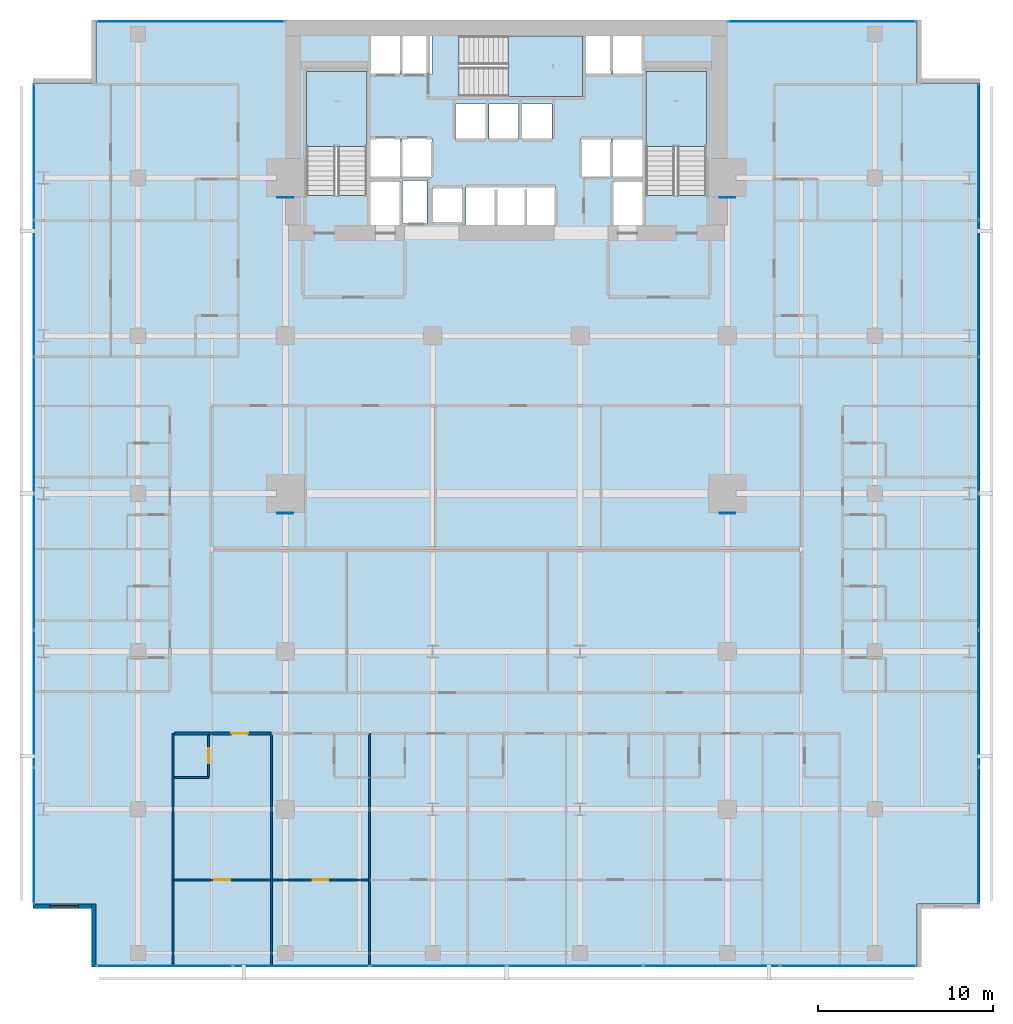
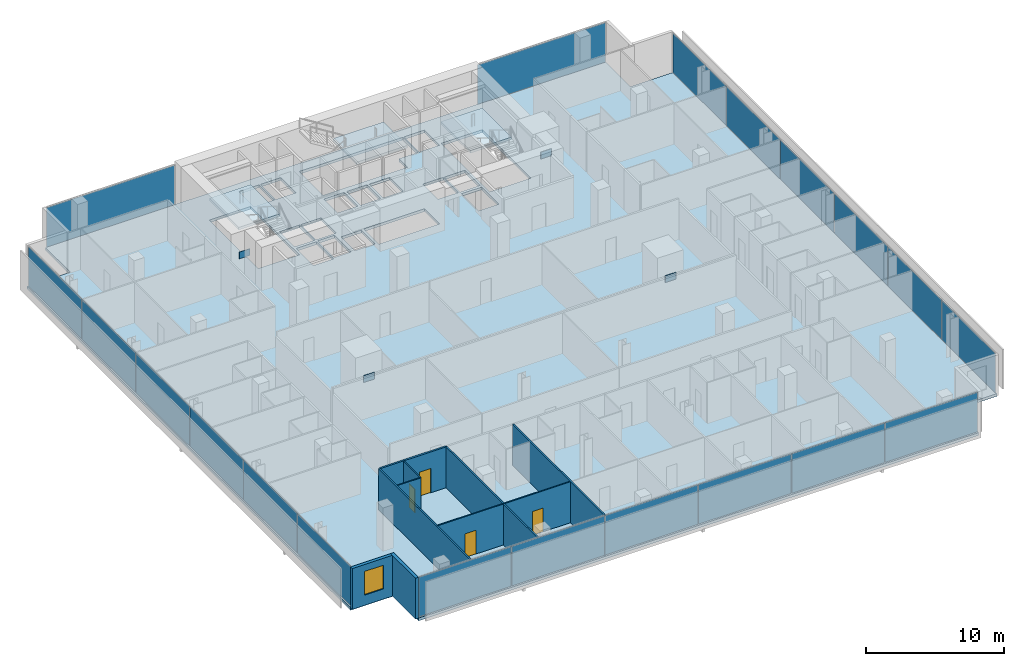
# One storey, part 32 of 40: 24 plates, 11 walls, 4 doors, 4 slabs, 1 window, 5 openings, 8 elements without a shape of their own.
"""IFC4 building model written with IfcOpenShell, lengths in metres."""

from ifc_helpers import new_model, si_unit, direction, frame, frame_2d, origin, origin_2d, place, context, subcontext, project, spatial, polyline, rectangle, outline, extrude, material, layer, layer_set, type_object, element, fill, aggregate, save


model = new_model("IFC4")

# Units and contexts
model_context = context("Model", 3, precision=1e-05, world=origin(), true_north=direction((0.0, 1.0)))
body_context = subcontext(model_context, "Body", "Model", "MODEL_VIEW")
ifc_project = project(units=[si_unit("LENGTHUNIT", "METRE"), si_unit("AREAUNIT", "SQUARE_METRE"), si_unit("VOLUMEUNIT", "CUBIC_METRE"), si_unit("PLANEANGLEUNIT", "RADIAN"), si_unit("MASSUNIT", "GRAM", prefix="KILO")], contexts=[model_context])

# Site, building, storey
site_placement = place(None, origin())
site = spatial("IfcSite", under=ifc_project, at=site_placement, CompositionType="ELEMENT")
building_placement = place(site_placement, origin())
building = spatial("IfcBuilding", under=site, at=building_placement, Name="Maruvema Waterfront Hotel and Observation Tower", CompositionType="ELEMENT")
storey_placement = place(building_placement, frame((0.0, 0.0, 57.75)))
storey = spatial("IfcBuildingStorey", under=building, at=storey_placement, Name="L13", CompositionType="ELEMENT", Elevation=57.75)

# Slab
ifc_material_1 = material(Name="Concrete C50/60", Category="concrete")
ifc_layer_1 = layer(ifc_material_1, 0.239990234375, Name="Reinforced Concrete Floor Slab 240 mm")
ifc_layer_set_1 = layer_set([ifc_layer_1], Name="Concrete C50/60")
slab_type_1 = type_object("IfcSlabType", Name="Reinforced Concrete Floor Slab 240 mm", PredefinedType="FLOOR", material=ifc_layer_set_1)
slab_1_placement = place(storey_placement, frame((0.0, 0.0, -0.239990234375)))
element("IfcSlab", 1, at=slab_1_placement, inside=storey, type_object=slab_type_1, Name="L13 Structural Floor Slab", PredefinedType="FLOOR", context=body_context, shape_type="SweptSolid", body=[
    extrude(outline(polyline([(14.39990234375, 0.0), (61.199951171875, 0.0), (61.199951171875, 3.60009765625), (64.800048828125, 3.60009765625), (64.800048828125, 50.39990234375), (61.199951171875, 50.39990234375), (61.199951171875, 54.0), (14.39990234375, 54.0), (14.39990234375, 50.39990234375), (10.800048828125, 50.39990234375), (10.800048828125, 3.60009765625), (14.39990234375, 3.60009765625), (14.39990234375, 0.0)]), holes=[polyline([(26.39990234375, 44.00048828125), (26.39990234375, 51.050048828125), (29.85009765625, 51.050048828125), (29.85009765625, 44.00048828125), (26.39990234375, 44.00048828125)]), polyline([(30.050048828125, 44.800048828125), (31.75, 44.800048828125), (31.75, 42.320068359375), (30.050048828125, 42.320068359375), (30.050048828125, 44.800048828125)]), polyline([(31.75, 47.25), (31.75, 45.050048828125), (30.050048828125, 45.050048828125), (30.050048828125, 47.25), (31.75, 47.25)]), polyline([(31.75, 53.10009765625), (31.75, 50.89990234375), (30.050048828125, 50.89990234375), (30.050048828125, 53.10009765625), (31.75, 53.10009765625)]), polyline([(33.280029296875, 44.860107421875), (33.280029296875, 42.43994140625), (31.8798828125, 42.43994140625), (31.8798828125, 44.860107421875), (33.280029296875, 44.860107421875)]), polyline([(31.85009765625, 47.25), (33.550048828125, 47.25), (33.550048828125, 45.050048828125), (31.85009765625, 45.050048828125), (31.85009765625, 47.25)]), polyline([(31.85009765625, 53.10009765625), (33.550048828125, 53.10009765625), (33.550048828125, 50.89990234375), (31.85009765625, 50.89990234375), (31.85009765625, 53.10009765625)]), polyline([(33.60009765625, 44.449951171875), (35.300048828125, 44.449951171875), (35.300048828125, 42.449951171875), (33.60009765625, 42.449951171875), (33.60009765625, 44.449951171875)]), polyline([(34.89990234375, 49.199951171875), (36.60009765625, 49.199951171875), (36.60009765625, 47.199951171875), (34.89990234375, 47.199951171875), (34.89990234375, 49.199951171875)]), polyline([(38.5, 49.199951171875), (38.5, 47.199951171875), (36.800048828125, 47.199951171875), (36.800048828125, 49.199951171875), (38.5, 49.199951171875)]), polyline([(35.5, 44.5), (40.60009765625, 44.5), (40.60009765625, 42.300048828125), (35.5, 42.300048828125), (35.5, 44.5)]), polyline([(43.75, 50.89990234375), (42.14990234375, 50.89990234375), (42.14990234375, 49.64990234375), (35.1005859375, 49.64990234375), (35.1005859375, 53.10009765625), (43.75, 53.10009765625), (43.75, 50.89990234375)]), polyline([(40.39990234375, 49.199951171875), (40.39990234375, 47.199951171875), (38.699951171875, 47.199951171875), (38.699951171875, 49.199951171875), (40.39990234375, 49.199951171875)]), polyline([(43.75, 47.25), (43.75, 45.050048828125), (42.050048828125, 45.050048828125), (42.050048828125, 47.25), (43.75, 47.25)]), polyline([(45.550048828125, 44.800048828125), (45.550048828125, 42.320068359375), (43.85009765625, 42.320068359375), (43.85009765625, 44.800048828125), (45.550048828125, 44.800048828125)]), polyline([(43.85009765625, 47.25), (45.550048828125, 47.25), (45.550048828125, 45.050048828125), (43.85009765625, 45.050048828125), (43.85009765625, 47.25)]), polyline([(45.550048828125, 53.10009765625), (45.550048828125, 50.89990234375), (43.85009765625, 50.89990234375), (43.85009765625, 53.10009765625), (45.550048828125, 53.10009765625)]), polyline([(45.75, 51.050048828125), (49.199951171875, 51.050048828125), (49.199951171875, 44.00048828125), (45.75, 44.00048828125), (45.75, 51.050048828125)])]), origin(), (0.0, 0.0, 1.0), 0.239990234375),
])

# Curtain wall, plates
ifc_material_2 = material(Name="Anodised bronze aluminium and solar-control low-E IGU", Category="aluminium")
ifc_layer_2 = layer(ifc_material_2, 0.159912109375, Name="Zone 1 Bronze Inner Thermal Curtain Wall System CW-02")
ifc_layer_set_2 = layer_set([ifc_layer_2], Name="Anodised bronze aluminium and solar-control low-E IGU")
curtain_wall_type = type_object("IfcCurtainWallType", Name="Zone 1 Bronze Inner Thermal Curtain Wall System CW-02", PredefinedType="USERDEFINED", material=ifc_layer_set_2)
curtain_wall_1_placement = place(storey_placement, origin())
curtain_wall_1 = element("IfcCurtainWall", 2, at=curtain_wall_1_placement, inside=storey, type_object=curtain_wall_type, Name="L13 Curtain Wall CW-L13-S", ObjectType="UNITISED CURTAIN WALL", PredefinedType="USERDEFINED")
ifc_material_3 = material(Name="Laminated low-E solar-control double glazing", Category="glass")
ifc_layer_3 = layer(ifc_material_3, 0.035888671875, Name="Solar Control Double-Glazed Curtain Panel 36 mm")
ifc_layer_set_3 = layer_set([ifc_layer_3], Name="Laminated low-E solar-control double glazing")
plate_type_1 = type_object("IfcPlateType", Name="Solar Control Double-Glazed Curtain Panel 36 mm", PredefinedType="CURTAIN_PANEL", material=ifc_layer_set_3)
plate_1_placement = place(storey_placement, frame((18.31494140625, 0.080078125, 0.06005859375), z_axis=(0.0, 0.0, 1.0), x_axis=(1.0, 0.0, 0.0)))
plate_1 = element("IfcPlate", 3, at=plate_1_placement, type_object=plate_type_1, Name="CW-02 panel 1.1", PredefinedType="CURTAIN_PANEL", context=body_context, shape_type="SweptSolid", body=[
    extrude(rectangle(XDim=7.7099609375, YDim=0.028076171875, at=origin_2d()), origin(), (0.0, 0.0, 1.0), 3.489990234375),
])
plate_2_placement = place(storey_placement, frame((26.10009765625, 0.080078125, 0.06005859375), z_axis=(0.0, 0.0, 1.0), x_axis=(1.0, 0.0, 0.0)))
plate_2 = element("IfcPlate", 4, at=plate_2_placement, type_object=plate_type_1, Name="CW-02 panel 2.1", PredefinedType="CURTAIN_PANEL", context=body_context, shape_type="SweptSolid", body=[
    extrude(rectangle(XDim=7.739990234375, YDim=0.028076171875, at=origin_2d()), origin(), (0.0, 0.0, 1.0), 3.489990234375),
])
plate_3_placement = place(storey_placement, frame((33.89990234375, 0.080078125, 0.06005859375), z_axis=(0.0, 0.0, 1.0), x_axis=(1.0, 0.0, 0.0)))
plate_3 = element("IfcPlate", 5, at=plate_3_placement, type_object=plate_type_1, Name="CW-02 panel 3.1", PredefinedType="CURTAIN_PANEL", context=body_context, shape_type="SweptSolid", body=[
    extrude(rectangle(XDim=7.739990234375, YDim=0.028076171875, at=origin_2d()), origin(), (0.0, 0.0, 1.0), 3.489990234375),
])
plate_4_placement = place(storey_placement, frame((41.699951171875, 0.080078125, 0.06005859375), z_axis=(0.0, 0.0, 1.0), x_axis=(1.0, 0.0, 0.0)))
plate_4 = element("IfcPlate", 6, at=plate_4_placement, type_object=plate_type_1, Name="CW-02 panel 4.1", PredefinedType="CURTAIN_PANEL", context=body_context, shape_type="SweptSolid", body=[
    extrude(rectangle(XDim=7.739990234375, YDim=0.028076171875, at=origin_2d()), origin(), (0.0, 0.0, 1.0), 3.489990234375),
])
plate_5_placement = place(storey_placement, frame((49.5, 0.080078125, 0.06005859375), z_axis=(0.0, 0.0, 1.0), x_axis=(1.0, 0.0, 0.0)))
plate_5 = element("IfcPlate", 7, at=plate_5_placement, type_object=plate_type_1, Name="CW-02 panel 5.1", PredefinedType="CURTAIN_PANEL", context=body_context, shape_type="SweptSolid", body=[
    extrude(rectangle(XDim=7.739990234375, YDim=0.028076171875, at=origin_2d()), origin(), (0.0, 0.0, 1.0), 3.489990234375),
])
plate_6_placement = place(storey_placement, frame((57.284912109375, 0.080078125, 0.06005859375), z_axis=(0.0, 0.0, 1.0), x_axis=(1.0, 0.0, 0.0)))
plate_6 = element("IfcPlate", 8, at=plate_6_placement, type_object=plate_type_1, Name="CW-02 panel 6.1", PredefinedType="CURTAIN_PANEL", context=body_context, shape_type="SweptSolid", body=[
    extrude(rectangle(XDim=7.7099609375, YDim=0.028076171875, at=origin_2d()), origin(), (0.0, 0.0, 1.0), 3.489990234375),
])
aggregate(curtain_wall_1, [plate_1, plate_2, plate_3, plate_4, plate_5, plate_6])

curtain_wall_2_placement = place(storey_placement, origin())
curtain_wall_2 = element("IfcCurtainWall", 9, at=curtain_wall_2_placement, inside=storey, type_object=curtain_wall_type, Name="L13 Curtain Wall CW-L13-E", ObjectType="UNITISED CURTAIN WALL", PredefinedType="USERDEFINED")
plate_7_placement = place(storey_placement, frame((64.719970703125, 7.514892578125, 0.06005859375), z_axis=(0.0, 0.0, 1.0), x_axis=(0.0, 1.0, 0.0)))
plate_7 = element("IfcPlate", 10, at=plate_7_placement, type_object=plate_type_1, Name="CW-02 panel 1.1", PredefinedType="CURTAIN_PANEL", context=body_context, shape_type="SweptSolid", body=[
    extrude(rectangle(XDim=7.7099609375, YDim=0.028076171875, at=origin_2d()), origin(), (0.0, 0.0, 1.0), 3.489990234375),
])
plate_8_placement = place(storey_placement, frame((64.719970703125, 15.300048828125, 0.06005859375), z_axis=(0.0, 0.0, 1.0), x_axis=(0.0, 1.0, 0.0)))
plate_8 = element("IfcPlate", 11, at=plate_8_placement, type_object=plate_type_1, Name="CW-02 panel 2.1", PredefinedType="CURTAIN_PANEL", context=body_context, shape_type="SweptSolid", body=[
    extrude(rectangle(XDim=7.739990234375, YDim=0.028076171875, at=origin_2d()), origin(), (0.0, 0.0, 1.0), 3.489990234375),
])
plate_9_placement = place(storey_placement, frame((64.719970703125, 23.10009765625, 0.06005859375), z_axis=(0.0, 0.0, 1.0), x_axis=(0.0, 1.0, 0.0)))
plate_9 = element("IfcPlate", 12, at=plate_9_placement, type_object=plate_type_1, Name="CW-02 panel 3.1", PredefinedType="CURTAIN_PANEL", context=body_context, shape_type="SweptSolid", body=[
    extrude(rectangle(XDim=7.739990234375, YDim=0.028076171875, at=origin_2d()), origin(), (0.0, 0.0, 1.0), 3.489990234375),
])
plate_10_placement = place(storey_placement, frame((64.719970703125, 30.89990234375, 0.06005859375), z_axis=(0.0, 0.0, 1.0), x_axis=(0.0, 1.0, 0.0)))
plate_10 = element("IfcPlate", 13, at=plate_10_placement, type_object=plate_type_1, Name="CW-02 panel 4.1", PredefinedType="CURTAIN_PANEL", context=body_context, shape_type="SweptSolid", body=[
    extrude(rectangle(XDim=7.739990234375, YDim=0.028076171875, at=origin_2d()), origin(), (0.0, 0.0, 1.0), 3.489990234375),
])
plate_11_placement = place(storey_placement, frame((64.719970703125, 38.699951171875, 0.06005859375), z_axis=(0.0, 0.0, 1.0), x_axis=(0.0, 1.0, 0.0)))
plate_11 = element("IfcPlate", 14, at=plate_11_placement, type_object=plate_type_1, Name="CW-02 panel 5.1", PredefinedType="CURTAIN_PANEL", context=body_context, shape_type="SweptSolid", body=[
    extrude(rectangle(XDim=7.739990234375, YDim=0.028076171875, at=origin_2d()), origin(), (0.0, 0.0, 1.0), 3.489990234375),
])
plate_12_placement = place(storey_placement, frame((64.719970703125, 46.485107421875, 0.06005859375), z_axis=(0.0, 0.0, 1.0), x_axis=(0.0, 1.0, 0.0)))
plate_12 = element("IfcPlate", 15, at=plate_12_placement, type_object=plate_type_1, Name="CW-02 panel 6.1", PredefinedType="CURTAIN_PANEL", context=body_context, shape_type="SweptSolid", body=[
    extrude(rectangle(XDim=7.7099609375, YDim=0.028076171875, at=origin_2d()), origin(), (0.0, 0.0, 1.0), 3.489990234375),
])
aggregate(curtain_wall_2, [plate_7, plate_8, plate_9, plate_10, plate_11, plate_12])

curtain_wall_3_placement = place(storey_placement, origin())
curtain_wall_3 = element("IfcCurtainWall", 16, at=curtain_wall_3_placement, inside=storey, type_object=curtain_wall_type, Name="L13 Curtain Wall CW-L13-W", ObjectType="UNITISED CURTAIN WALL", PredefinedType="USERDEFINED")
plate_13_placement = place(storey_placement, frame((10.8798828125, 46.485107421875, 0.06005859375), z_axis=(0.0, 0.0, 1.0), x_axis=(0.0, -1.0, 0.0)))
plate_13 = element("IfcPlate", 17, at=plate_13_placement, type_object=plate_type_1, Name="CW-02 panel 1.1", PredefinedType="CURTAIN_PANEL", context=body_context, shape_type="SweptSolid", body=[
    extrude(rectangle(XDim=7.7099609375, YDim=0.028076171875, at=origin_2d()), origin(), (0.0, 0.0, 1.0), 3.489990234375),
])
plate_14_placement = place(storey_placement, frame((10.8798828125, 38.699951171875, 0.06005859375), z_axis=(0.0, 0.0, 1.0), x_axis=(0.0, -1.0, 0.0)))
plate_14 = element("IfcPlate", 18, at=plate_14_placement, type_object=plate_type_1, Name="CW-02 panel 2.1", PredefinedType="CURTAIN_PANEL", context=body_context, shape_type="SweptSolid", body=[
    extrude(rectangle(XDim=7.739990234375, YDim=0.028076171875, at=origin_2d()), origin(), (0.0, 0.0, 1.0), 3.489990234375),
])
plate_15_placement = place(storey_placement, frame((10.8798828125, 30.89990234375, 0.06005859375), z_axis=(0.0, 0.0, 1.0), x_axis=(0.0, -1.0, 0.0)))
plate_15 = element("IfcPlate", 19, at=plate_15_placement, type_object=plate_type_1, Name="CW-02 panel 3.1", PredefinedType="CURTAIN_PANEL", context=body_context, shape_type="SweptSolid", body=[
    extrude(rectangle(XDim=7.739990234375, YDim=0.028076171875, at=origin_2d()), origin(), (0.0, 0.0, 1.0), 3.489990234375),
])
plate_16_placement = place(storey_placement, frame((10.8798828125, 23.10009765625, 0.06005859375), z_axis=(0.0, 0.0, 1.0), x_axis=(0.0, -1.0, 0.0)))
plate_16 = element("IfcPlate", 20, at=plate_16_placement, type_object=plate_type_1, Name="CW-02 panel 4.1", PredefinedType="CURTAIN_PANEL", context=body_context, shape_type="SweptSolid", body=[
    extrude(rectangle(XDim=7.739990234375, YDim=0.028076171875, at=origin_2d()), origin(), (0.0, 0.0, 1.0), 3.489990234375),
])
plate_17_placement = place(storey_placement, frame((10.8798828125, 15.300048828125, 0.06005859375), z_axis=(0.0, 0.0, 1.0), x_axis=(0.0, -1.0, 0.0)))
plate_17 = element("IfcPlate", 21, at=plate_17_placement, type_object=plate_type_1, Name="CW-02 panel 5.1", PredefinedType="CURTAIN_PANEL", context=body_context, shape_type="SweptSolid", body=[
    extrude(rectangle(XDim=7.739990234375, YDim=0.028076171875, at=origin_2d()), origin(), (0.0, 0.0, 1.0), 3.489990234375),
])
plate_18_placement = place(storey_placement, frame((10.8798828125, 7.514892578125, 0.06005859375), z_axis=(0.0, 0.0, 1.0), x_axis=(0.0, -1.0, 0.0)))
plate_18 = element("IfcPlate", 22, at=plate_18_placement, type_object=plate_type_1, Name="CW-02 panel 6.1", PredefinedType="CURTAIN_PANEL", context=body_context, shape_type="SweptSolid", body=[
    extrude(rectangle(XDim=7.7099609375, YDim=0.028076171875, at=origin_2d()), origin(), (0.0, 0.0, 1.0), 3.489990234375),
])
aggregate(curtain_wall_3, [plate_13, plate_14, plate_15, plate_16, plate_17, plate_18])

# Curtain wall, plate
curtain_wall_4_placement = place(storey_placement, origin())
curtain_wall_4 = element("IfcCurtainWall", 23, at=curtain_wall_4_placement, inside=storey, type_object=curtain_wall_type, Name="L13 Curtain Wall CW-L13-NW", ObjectType="UNITISED CURTAIN WALL", PredefinedType="USERDEFINED")
plate_19_placement = place(storey_placement, frame((19.800048828125, 53.919921875, 0.06005859375), z_axis=(0.0, 0.0, 1.0), x_axis=(-1.0, 0.0, 0.0)))
plate_19 = element("IfcPlate", 24, at=plate_19_placement, type_object=plate_type_1, Name="CW-02 panel 1.1", PredefinedType="CURTAIN_PANEL", context=body_context, shape_type="SweptSolid", body=[
    extrude(rectangle(XDim=10.679931640625, YDim=0.028076171875, at=origin_2d()), origin(), (0.0, 0.0, 1.0), 3.489990234375),
])
aggregate(curtain_wall_4, [plate_19])

curtain_wall_5_placement = place(storey_placement, origin())
curtain_wall_5 = element("IfcCurtainWall", 25, at=curtain_wall_5_placement, inside=storey, type_object=curtain_wall_type, Name="L13 Curtain Wall CW-L13-NE", ObjectType="UNITISED CURTAIN WALL", PredefinedType="USERDEFINED")
plate_20_placement = place(storey_placement, frame((55.800048828125, 53.919921875, 0.06005859375), z_axis=(0.0, 0.0, 1.0), x_axis=(-1.0, 0.0, 0.0)))
plate_20 = element("IfcPlate", 26, at=plate_20_placement, type_object=plate_type_1, Name="CW-02 panel 1.1", PredefinedType="CURTAIN_PANEL", context=body_context, shape_type="SweptSolid", body=[
    extrude(rectangle(XDim=10.679931640625, YDim=0.028076171875, at=origin_2d()), origin(), (0.0, 0.0, 1.0), 3.489990234375),
])
aggregate(curtain_wall_5, [plate_20])

# Stair, slab
ifc_material_4 = material(Name="Concrete C50/60", Category="concrete")
stair_type = type_object("IfcStairType", Name="Dogleg Exit Stair 1650 mm (22R x 175.0 mm)", PredefinedType="HALF_TURN_STAIR", material=ifc_material_4)
stair_1_placement = place(storey_placement, origin())
stair_1 = element("IfcStair", 27, at=stair_1_placement, inside=storey, type_object=stair_type, Name="L13 ST-01", PredefinedType="HALF_TURN_STAIR")
ifc_material_5 = material(Name="Concrete C50/60", Category="concrete")
ifc_layer_4 = layer(ifc_material_5, 0.219970703125, Name="Stair Concrete Landing Slab 220 mm")
ifc_layer_set_4 = layer_set([ifc_layer_4], Name="Concrete C50/60")
slab_type_2 = type_object("IfcSlabType", Name="Stair Concrete Landing Slab 220 mm", PredefinedType="LANDING", material=ifc_layer_set_4)
slab_2_placement = place(storey_placement, frame((0.0, 0.0, 1.705078125)))
slab_2 = element("IfcSlab", 28, at=slab_2_placement, type_object=slab_type_2, Name="ST-01 landing 1", PredefinedType="LANDING", context=body_context, shape_type="SweptSolid", body=[
    extrude(outline(polyline([(29.85009765625, 46.800048828125), (29.85009765625, 51.050048828125), (26.39990234375, 51.050048828125), (26.39990234375, 46.800048828125), (29.85009765625, 46.800048828125)])), origin(), (0.0, 0.0, 1.0), 0.219970703125),
])
aggregate(stair_1, [slab_2])

stair_2_placement = place(storey_placement, origin())
stair_2 = element("IfcStair", 29, at=stair_2_placement, inside=storey, type_object=stair_type, Name="L13 ST-02", PredefinedType="HALF_TURN_STAIR")
slab_3_placement = place(storey_placement, frame((0.0, 0.0, 1.705078125)))
slab_3 = element("IfcSlab", 30, at=slab_3_placement, type_object=slab_type_2, Name="ST-02 landing 1", PredefinedType="LANDING", context=body_context, shape_type="SweptSolid", body=[
    extrude(outline(polyline([(37.89990234375, 49.64990234375), (42.14990234375, 49.64990234375), (42.14990234375, 53.10009765625), (37.89990234375, 53.10009765625), (37.89990234375, 49.64990234375)])), origin(), (0.0, 0.0, 1.0), 0.219970703125),
])
aggregate(stair_2, [slab_3])

stair_3_placement = place(storey_placement, origin())
stair_3 = element("IfcStair", 31, at=stair_3_placement, inside=storey, type_object=stair_type, Name="L13 ST-03", PredefinedType="HALF_TURN_STAIR")
slab_4_placement = place(storey_placement, frame((0.0, 0.0, 1.705078125)))
slab_4 = element("IfcSlab", 32, at=slab_4_placement, type_object=slab_type_2, Name="ST-03 landing 1", PredefinedType="LANDING", context=body_context, shape_type="SweptSolid", body=[
    extrude(outline(polyline([(49.199951171875, 46.800048828125), (49.199951171875, 51.050048828125), (45.75, 51.050048828125), (45.75, 46.800048828125), (49.199951171875, 46.800048828125)])), origin(), (0.0, 0.0, 1.0), 0.219970703125),
])
aggregate(stair_3, [slab_4])

# Plates
ifc_material_6 = material(Name="Steel ABNT NBR 7007 AR 415 (ASTM A572 Grade 50)", Category="steel")
ifc_layer_5 = layer(ifc_material_6, 0.0400390625, Name="Structural Truss Node Gusset Plate 40 mm")
ifc_layer_set_5 = layer_set([ifc_layer_5], Name="Steel ABNT NBR 7007 AR 415 (ASTM A572 Grade 50)")
plate_type_2 = type_object("IfcPlateType", Name="Structural Truss Node Gusset Plate 40 mm", PredefinedType="USERDEFINED", material=ifc_layer_set_5)
for number, where, z_axis, x_axis, name in (
    (33, (25.199951171875, 25.8798828125, 1.5), (0.0, 0.0, 1.0), (1.0, 0.0, 0.0), "L13 MC-01 Moment Frame Continuity Gusset Plate"),
    (34, (50.39990234375, 25.8798828125, 1.5), (0.0, 0.0, 1.0), (1.0, 0.0, 0.0), "L13 MC-02 Moment Frame Continuity Gusset Plate"),
    (35, (25.199951171875, 43.8798828125, 1.5), (0.0, 0.0, 1.0), (1.0, 0.0, 0.0), "L13 MC-03 Moment Frame Continuity Gusset Plate"),
    (36, (50.39990234375, 43.8798828125, 1.5), (0.0, 0.0, 1.0), (1.0, 0.0, 0.0), "L13 MC-04 Moment Frame Continuity Gusset Plate"),
):
    element("IfcPlate", number, at=place(storey_placement, frame(where, z_axis=z_axis, x_axis=x_axis)), inside=storey, type_object=plate_type_2, Name=name, ObjectType="GUSSET_PLATE", PredefinedType="USERDEFINED", context=body_context, shape_type="SweptSolid", body=[
        extrude(rectangle(XDim=0.89990234375, YDim=0.0400390625, at=origin_2d()), origin(), (0.0, 0.0, 1.0), 0.60009765625),
    ])

# Wall
ifc_material_7 = material(Name="Twin-stud acoustic gypsum drywall", Category="gypsum")
ifc_layer_6 = layer(ifc_material_7, 0.14990234375, Name="Acoustic Corridor and Suite Demising Wall 150 mm")
ifc_layer_set_6 = layer_set([ifc_layer_6], Name="Twin-stud acoustic gypsum drywall")
wall_type_1 = type_object("IfcWallType", Name="Acoustic Corridor and Suite Demising Wall 150 mm", PredefinedType="PARTITIONING", material=ifc_layer_set_6)
wall_1_placement = place(storey_placement, frame((18.8798828125, 13.320068359375, 0.0), z_axis=(0.0, 0.0, 1.0), x_axis=(1.0, 0.0, 0.0)))
element("IfcWall", 37, at=wall_1_placement, inside=storey, type_object=wall_type_1, Name="L13 Bath L13-S1 Back Wall 032", PredefinedType="PARTITIONING", context=body_context, shape_type="SweptSolid", body=[
    extrude(rectangle(XDim=1.940185546875, YDim=0.14990234375, at=frame_2d((0.97021484375, 0.0))), origin(), (0.0, 0.0, 1.0), 3.610107421875),
])

# Wall, opening, door
wall_2_placement = place(storey_placement, frame((20.820068359375, 13.320068359375, 0.0), z_axis=(0.0, 0.0, 1.0), x_axis=(1.0, 0.0, 0.0)))
wall_2 = element("IfcWall", 38, at=wall_2_placement, inside=storey, type_object=wall_type_1, Name="L13 Unit L13-S1 Corridor Wall 035", PredefinedType="PARTITIONING", context=body_context, shape_type="SweptSolid", body=[
    extrude(rectangle(XDim=3.559814453125, YDim=0.14990234375, at=frame_2d((1.77978515625, 0.0))), origin(), (0.0, 0.0, 1.0), 3.610107421875),
])
opening_1_placement = place(wall_2_placement, frame((1.304931640625, 0.0, 0.0)))
opening_1 = element("IfcOpeningElement", 39, at=opening_1_placement, cuts=wall_2, Name="Opening DR-095", PredefinedType="OPENING", context=body_context, shape_type="SweptSolid", body=[
    extrude(rectangle(XDim=0.949951171875, YDim=2.14990234375, at=frame_2d((0.47509765625, 1.074951171875))), frame((0.0, 0.0849609375, 0.0), z_axis=(0.0, -1.0, 0.0), x_axis=(1.0, 0.0, 0.0)), (0.0, 0.0, 1.0), 0.169921875),
])
ifc_material_8 = material(Name="Acoustic solid-core hardwood timber leaf", Category="wood")
door_type_1 = type_object("IfcDoorType", Name="Guestroom Entrance Fire Door 950x2150 mm", OperationType="NOTDEFINED", PredefinedType="DOOR", material=ifc_material_8)
door_1_placement = place(opening_1_placement, frame((0.949951171875, 0.0, 0.0), z_axis=(0.0, 0.0, 1.0), x_axis=(-1.0, 0.0, 0.0)))
door_1 = element("IfcDoor", 40, at=door_1_placement, inside=storey, type_object=door_type_1, Name="L13 Unit L13-S1 Entrance Door", OperationType="SINGLE_SWING_LEFT", OverallHeight=2.14990234375, OverallWidth=0.949951171875, PredefinedType="DOOR", context=body_context, shape_type="SweptSolid", body=[
    extrude(rectangle(XDim=0.949951171875, YDim=2.14990234375, at=frame_2d((0.47509765625, 1.074951171875))), frame((0.0, 0.02490234375, 0.0), z_axis=(0.0, -1.0, 0.0), x_axis=(1.0, 0.0, 0.0)), (0.0, 0.0, 1.0), 0.050048828125),
])
fill(opening_1, door_1)

# Wall
ifc_material_9 = material(Name="Moisture-resistant cement-board drywall", Category="gypsum")
ifc_layer_7 = layer(ifc_material_9, 0.10009765625, Name="En-Suite Moisture-Resistant Partition 100 mm")
ifc_layer_set_7 = layer_set([ifc_layer_7], Name="Moisture-resistant cement-board drywall")
wall_type_2 = type_object("IfcWallType", Name="En-Suite Moisture-Resistant Partition 100 mm", PredefinedType="PARTITIONING", material=ifc_layer_set_7)
wall_3_placement = place(storey_placement, frame((18.8798828125, 10.820068359375, 0.0), z_axis=(0.0, 0.0, 1.0), x_axis=(1.0, 0.0, 0.0)))
element("IfcWall", 41, at=wall_3_placement, inside=storey, type_object=wall_type_2, Name="L13 En-Suite L13-S1 South 033", PredefinedType="PARTITIONING", context=body_context, shape_type="SweptSolid", body=[
    extrude(rectangle(XDim=1.940185546875, YDim=0.10009765625, at=frame_2d((0.97021484375, 0.0))), origin(), (0.0, 0.0, 1.0), 3.610107421875),
])

# Wall, opening, door
wall_4_placement = place(storey_placement, frame((20.820068359375, 10.8798828125, 0.0), z_axis=(0.0, 0.0, 1.0), x_axis=(0.0, 1.0, 0.0)))
wall_4 = element("IfcWall", 42, at=wall_4_placement, inside=storey, type_object=wall_type_2, Name="L13 En-Suite L13-S1 East 034", PredefinedType="PARTITIONING", context=body_context, shape_type="SweptSolid", body=[
    extrude(rectangle(XDim=2.340087890625, YDim=0.10009765625, at=frame_2d((1.169921875, 0.0))), origin(), (0.0, 0.0, 1.0), 3.610107421875),
])
opening_2_placement = place(wall_4_placement, frame((0.7451171875, 0.0, 0.0)))
opening_2 = element("IfcOpeningElement", 43, at=opening_2_placement, cuts=wall_4, Name="Opening DR-085", PredefinedType="OPENING", context=body_context, shape_type="SweptSolid", body=[
    extrude(rectangle(XDim=0.85009765625, YDim=2.10009765625, at=frame_2d((0.425048828125, 1.050048828125))), frame((0.0, 0.06005859375, 0.0), z_axis=(0.0, -1.0, 0.0), x_axis=(1.0, 0.0, 0.0)), (0.0, 0.0, 1.0), 0.1201171875),
])
ifc_material_10 = material(Name="Moisture-resistant solid timber leaf", Category="wood")
door_type_2 = type_object("IfcDoorType", Name="En-Suite Bathroom Door 850x2100 mm", OperationType="NOTDEFINED", PredefinedType="DOOR", material=ifc_material_10)
door_2_placement = place(opening_2_placement, frame((0.85009765625, 0.0, 0.0), z_axis=(0.0, 0.0, 1.0), x_axis=(-1.0, 0.0, 0.0)))
door_2 = element("IfcDoor", 44, at=door_2_placement, inside=storey, type_object=door_type_2, Name="L13 En-Suite L13-S1 Door", OperationType="SINGLE_SWING_RIGHT", OverallHeight=2.10009765625, OverallWidth=0.85009765625, PredefinedType="DOOR", context=body_context, shape_type="SweptSolid", body=[
    extrude(rectangle(XDim=0.85009765625, YDim=2.10009765625, at=frame_2d((0.425048828125, 1.050048828125))), frame((0.0, 0.02490234375, 0.0), z_axis=(0.0, -1.0, 0.0), x_axis=(1.0, 0.0, 0.0)), (0.0, 0.0, 1.0), 0.050048828125),
])
fill(opening_2, door_2)

wall_5_placement = place(storey_placement, frame((18.840087890625, 4.977294921875, 0.0), z_axis=(0.0, 0.0, 1.0), x_axis=(1.0, 0.0, 0.0)))
wall_5 = element("IfcWall", 45, at=wall_5_placement, inside=storey, type_object=wall_type_2, Name="L13 Suite L13-S1 Split 036", PredefinedType="PARTITIONING", context=body_context, shape_type="SweptSolid", body=[
    extrude(rectangle(XDim=5.52001953125, YDim=0.10009765625, at=frame_2d((2.760009765625, 0.0))), origin(), (0.0, 0.0, 1.0), 3.610107421875),
])
opening_3_placement = place(wall_5_placement, frame((2.31005859375, 0.0, 0.0)))
opening_3 = element("IfcOpeningElement", 46, at=opening_3_placement, cuts=wall_5, Name="Opening DR-090", PredefinedType="OPENING", context=body_context, shape_type="SweptSolid", body=[
    extrude(rectangle(XDim=0.89990234375, YDim=2.10009765625, at=frame_2d((0.449951171875, 1.050048828125))), frame((0.0, 0.06005859375, 0.0), z_axis=(0.0, -1.0, 0.0), x_axis=(1.0, 0.0, 0.0)), (0.0, 0.0, 1.0), 0.1201171875),
])
ifc_material_11 = material(Name="Solid-core lacquered timber leaf", Category="wood")
door_type_3 = type_object("IfcDoorType", Name="Accessible Toilet and Room Door 900x2100 mm", OperationType="NOTDEFINED", PredefinedType="DOOR", material=ifc_material_11)
door_3_placement = place(opening_3_placement, frame((0.89990234375, 0.0, 0.0), z_axis=(0.0, 0.0, 1.0), x_axis=(-1.0, 0.0, 0.0)))
door_3 = element("IfcDoor", 47, at=door_3_placement, inside=storey, type_object=door_type_3, Name="L13 Suite L13-S1 Bedroom Door", OperationType="SINGLE_SWING_RIGHT", OverallHeight=2.10009765625, OverallWidth=0.89990234375, PredefinedType="DOOR", context=body_context, shape_type="SweptSolid", body=[
    extrude(rectangle(XDim=0.89990234375, YDim=2.10009765625, at=frame_2d((0.449951171875, 1.050048828125))), frame((0.0, 0.02490234375, 0.0), z_axis=(0.0, -1.0, 0.0), x_axis=(1.0, 0.0, 0.0)), (0.0, 0.0, 1.0), 0.050048828125),
])
fill(opening_3, door_3)

wall_6_placement = place(storey_placement, frame((24.43994140625, 4.977294921875, 0.0), z_axis=(0.0, 0.0, 1.0), x_axis=(1.0, 0.0, 0.0)))
wall_6 = element("IfcWall", 48, at=wall_6_placement, inside=storey, type_object=wall_type_2, Name="L13 Suite L13-S2 Split 042", PredefinedType="PARTITIONING", context=body_context, shape_type="SweptSolid", body=[
    extrude(rectangle(XDim=5.52001953125, YDim=0.10009765625, at=frame_2d((2.760009765625, 0.0))), origin(), (0.0, 0.0, 1.0), 3.610107421875),
])
opening_4_placement = place(wall_6_placement, frame((2.31005859375, 0.0, 0.0)))
opening_4 = element("IfcOpeningElement", 49, at=opening_4_placement, cuts=wall_6, Name="Opening DR-090", PredefinedType="OPENING", context=body_context, shape_type="SweptSolid", body=[
    extrude(rectangle(XDim=0.89990234375, YDim=2.10009765625, at=frame_2d((0.449951171875, 1.050048828125))), frame((0.0, 0.06005859375, 0.0), z_axis=(0.0, -1.0, 0.0), x_axis=(1.0, 0.0, 0.0)), (0.0, 0.0, 1.0), 0.1201171875),
])
door_4_placement = place(opening_4_placement, frame((0.89990234375, 0.0, 0.0), z_axis=(0.0, 0.0, 1.0), x_axis=(-1.0, 0.0, 0.0)))
door_4 = element("IfcDoor", 50, at=door_4_placement, inside=storey, type_object=door_type_3, Name="L13 Suite L13-S2 Bedroom Door", OperationType="SINGLE_SWING_LEFT", OverallHeight=2.10009765625, OverallWidth=0.89990234375, PredefinedType="DOOR", context=body_context, shape_type="SweptSolid", body=[
    extrude(rectangle(XDim=0.89990234375, YDim=2.10009765625, at=frame_2d((0.449951171875, 1.050048828125))), frame((0.0, 0.02490234375, 0.0), z_axis=(0.0, -1.0, 0.0), x_axis=(1.0, 0.0, 0.0)), (0.0, 0.0, 1.0), 0.050048828125),
])
fill(opening_4, door_4)

# Wall
ifc_material_12 = material(Name="Precast concrete C45/55 with honed Pernambuco granite facing", Category="masonry")
ifc_layer_8 = layer(ifc_material_12, 0.260009765625, Name="Exterior Granite Clad Spandrel and Pier Wall 260 mm")
ifc_layer_set_8 = layer_set([ifc_layer_8], Name="Precast concrete C45/55 with honed Pernambuco granite facing")
wall_type_3 = type_object("IfcWallType", Name="Exterior Granite Clad Spandrel and Pier Wall 260 mm", PredefinedType="SOLIDWALL", material=ifc_layer_set_8)
wall_7_placement = place(storey_placement, frame((14.27001953125, 0.0, 0.0), z_axis=(0.0, 0.0, 1.0), x_axis=(0.0, 1.0, 0.0)))
element("IfcWall", 51, at=wall_7_placement, inside=storey, type_object=wall_type_3, Name="L13 Corner Notch Granite Pier Wall SW1", PredefinedType="SOLIDWALL", context=body_context, shape_type="SweptSolid", body=[
    extrude(rectangle(XDim=3.60009765625, YDim=0.260009765625, at=frame_2d((1.800048828125, 0.0))), origin(), (0.0, 0.0, 1.0), 3.610107421875),
])

# Wall, opening, window
wall_8_placement = place(storey_placement, frame((14.39990234375, 3.469970703125, 0.0), z_axis=(0.0, 0.0, 1.0), x_axis=(-1.0, 0.0, 0.0)))
wall_8 = element("IfcWall", 52, at=wall_8_placement, inside=storey, type_object=wall_type_3, Name="L13 Corner Notch Granite Pier Wall SW2", PredefinedType="SOLIDWALL", context=body_context, shape_type="SweptSolid", body=[
    extrude(rectangle(XDim=3.599853515625, YDim=0.260009765625, at=frame_2d((1.7998046875, 0.0))), origin(), (0.0, 0.0, 1.0), 3.610107421875),
])
opening_5_placement = place(wall_8_placement, frame((1.0, 0.0, 0.89990234375)))
opening_5 = element("IfcOpeningElement", 53, at=opening_5_placement, cuts=wall_8, Name="Opening WN-01", PredefinedType="OPENING", context=body_context, shape_type="SweptSolid", body=[
    extrude(rectangle(XDim=1.60009765625, YDim=2.10009765625, at=frame_2d((0.800048828125, 1.050048828125))), frame((0.0, 0.14013671875, 0.0), z_axis=(0.0, -1.0, 0.0), x_axis=(1.0, 0.0, 0.0)), (0.0, 0.0, 1.0), 0.280029296875),
])
ifc_material_13 = material(Name="Anodised bronze aluminium frame with laminated low-E glass", Category="aluminium")
window_type = type_object("IfcWindowType", Name="Corner Notch Feature Window 1600x2100 mm", PartitioningType="SINGLE_PANEL", PredefinedType="WINDOW", material=ifc_material_13)
window_placement = place(opening_5_placement, origin())
window = element("IfcWindow", 54, at=window_placement, inside=storey, type_object=window_type, Name="L13 Corner Notch Punched Window SW2", OverallHeight=2.10009765625, OverallWidth=1.60009765625, PartitioningType="SINGLE_PANEL", PredefinedType="WINDOW", context=body_context, shape_type="SweptSolid", body=[
    extrude(rectangle(XDim=1.60009765625, YDim=2.10009765625, at=frame_2d((0.800048828125, 1.050048828125))), frame((0.0, 0.030029296875, 0.0), z_axis=(0.0, -1.0, 0.0), x_axis=(1.0, 0.0, 0.0)), (0.0, 0.0, 1.0), 0.06005859375),
])
fill(opening_5, window)

# Walls
ifc_material_14 = material(Name="Acoustic gypsum plasterboard drywall", Category="gypsum")
ifc_layer_9 = layer(ifc_material_14, 0.125, Name="Guestroom Acoustic Demising Wall 125 mm")
ifc_layer_set_9 = layer_set([ifc_layer_9], Name="Acoustic gypsum plasterboard drywall")
wall_type_4 = type_object("IfcWallType", Name="Guestroom Acoustic Demising Wall 125 mm", PredefinedType="PARTITIONING", material=ifc_layer_set_9)
for number, where, z_axis, x_axis, name in (
    (55, (18.800048828125, 0.10009765625, 0.0), (0.0, 0.0, 1.0), (0.0, 1.0, 0.0), "L13 S West End 030"),
    (56, (24.39990234375, 0.10009765625, 0.0), (0.0, 0.0, 1.0), (0.0, 1.0, 0.0), "L13 S Demising 2 037"),
    (57, (30.0, 0.10009765625, 0.0), (0.0, 0.0, 1.0), (0.0, 1.0, 0.0), "L13 S Demising 3 043"),
):
    element("IfcWall", number, at=place(storey_placement, frame(where, z_axis=z_axis, x_axis=x_axis)), inside=storey, type_object=wall_type_4, Name=name, PredefinedType="PARTITIONING", context=body_context, shape_type="SweptSolid", body=[
        extrude(rectangle(XDim=13.219970703125, YDim=0.125, at=frame_2d((6.60986328125, 0.0))), origin(), (0.0, 0.0, 1.0), 3.610107421875),
    ])

save(model, "model.ifc")
